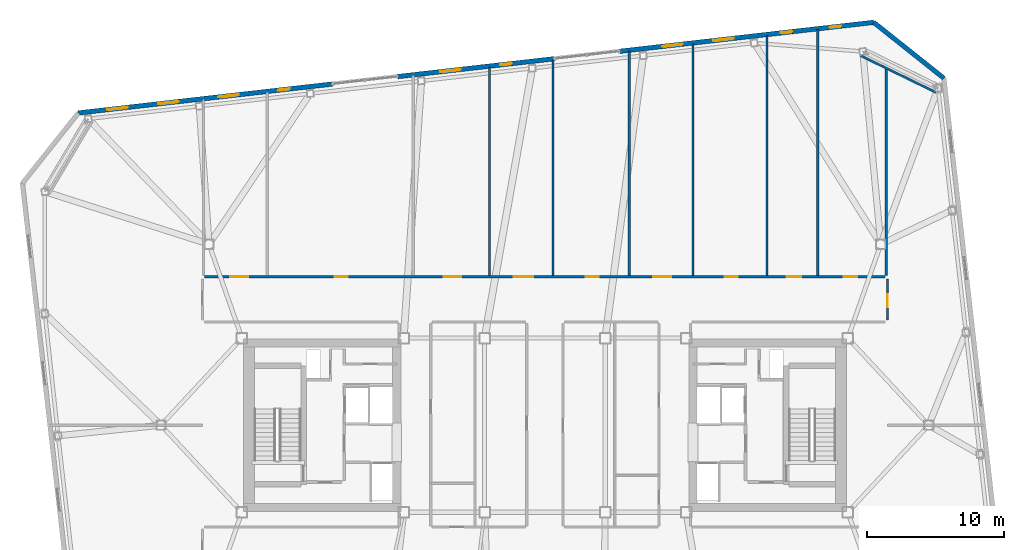
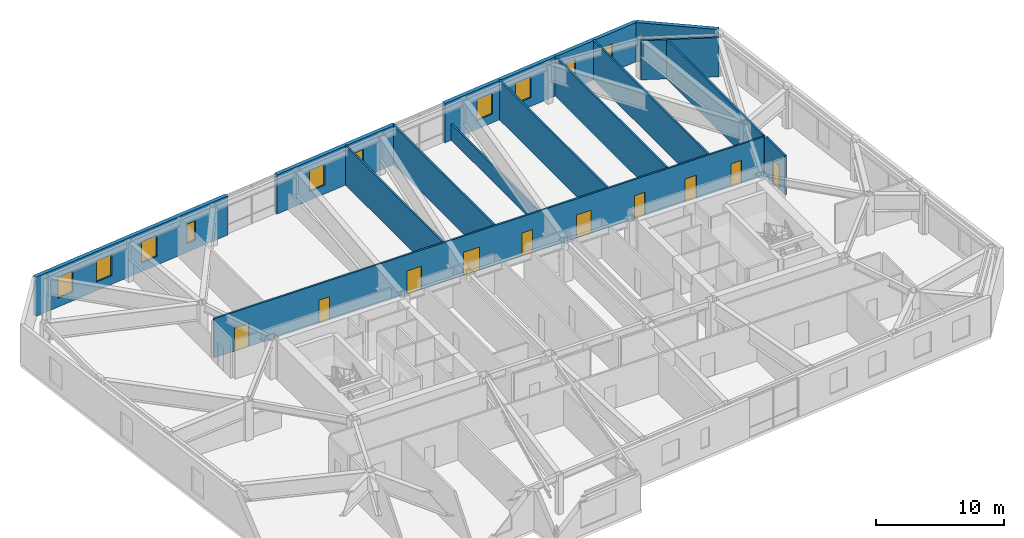
# One storey, part 14 of 18: 14 walls, 10 doors, 10 windows, 20 openings.
"""IFC4 building model written with IfcOpenShell, lengths in metres."""

from ifc_helpers import new_model, si_unit, direction, frame, frame_2d, origin, place, context, subcontext, project, spatial, rectangle, extrude, material, layer, layer_set, type_object, element, fill, save


model = new_model("IFC4")

# Units and contexts
model_context = context("Model", 3, precision=1e-05, world=origin(), true_north=direction((0.0, 1.0)))
body_context = subcontext(model_context, "Body", "Model", "MODEL_VIEW")
ifc_project = project(units=[si_unit("LENGTHUNIT", "METRE"), si_unit("AREAUNIT", "SQUARE_METRE"), si_unit("VOLUMEUNIT", "CUBIC_METRE"), si_unit("PLANEANGLEUNIT", "RADIAN"), si_unit("MASSUNIT", "GRAM", prefix="KILO")], contexts=[model_context])

# Site, building, storey
site_placement = place(None, origin())
site = spatial("IfcSite", under=ifc_project, at=site_placement, CompositionType="ELEMENT")
building_placement = place(site_placement, origin())
building = spatial("IfcBuilding", under=site, at=building_placement, Name="Tavrogorsk Clinical Tower", CompositionType="ELEMENT")
storey_placement = place(building_placement, frame((0.0, 0.0, 226.199951171875)))
storey = spatial("IfcBuildingStorey", under=building, at=storey_placement, Name="L52", CompositionType="ELEMENT", Elevation=226.199951171875)

# Wall
ifc_material_1 = material(Name="Lightweight concrete blockwork B15", Category="masonry")
ifc_layer_1 = layer(ifc_material_1, 0.159912109375)
ifc_layer_set_1 = layer_set([ifc_layer_1], Name="Lightweight concrete blockwork B15")
wall_type_1 = type_object("IfcWallType", Name="PartitionWall_160", PredefinedType="PARTITIONING", material=ifc_layer_set_1)
wall_1_placement = place(storey_placement, frame((28.5283203125, 24.27099609375, 0.0), z_axis=(0.0, 0.0, 1.0), x_axis=(-0.898820692789, 0.438316509173, 0.0)))
element("IfcWall", 1, at=wall_1_placement, inside=storey, type_object=wall_type_1, Name="L52 Corner Exoskeleton Brace Furring Wall 2", PredefinedType="PARTITIONING", context=body_context, shape_type="SweptSolid", body=[
    extrude(rectangle(XDim=6.10693359375, YDim=0.159912109375, at=frame_2d((3.053466796875, 0.0))), origin(), (0.0, 0.0, 1.0), 3.739990234375),
])

# Wall, openings, doors
wall_2_placement = place(storey_placement, frame((-24.81494140625, 10.830078125, 0.0), z_axis=(0.0, 0.0, 1.0), x_axis=(1.0, 0.0, 0.0)))
wall_2 = element("IfcWall", 2, at=wall_2_placement, inside=storey, type_object=wall_type_1, Name="L52 Corridor Partition 07", PredefinedType="PARTITIONING", context=body_context, shape_type="SweptSolid", body=[
    extrude(rectangle(XDim=49.6298828125, YDim=0.159912109375, at=frame_2d((24.81494140625, 0.0))), origin(), (0.0, 0.0, 1.0), 3.739990234375),
])
opening_1_placement = place(wall_2_placement, frame((1.869140625, 0.0, 0.0)))
opening_1 = element("IfcOpeningElement", 3, at=opening_1_placement, cuts=wall_2, Name="Opening ID-01", PredefinedType="OPENING", context=body_context, shape_type="SweptSolid", body=[
    extrude(rectangle(XDim=1.300048828125, YDim=2.199951171875, at=frame_2d((0.64990234375, 1.10009765625))), frame((0.0, 0.08984375, 0.0), z_axis=(0.0, -1.0, 0.0), x_axis=(1.0, 0.0, 0.0)), (0.0, 0.0, 1.0), 0.179931640625),
])
opening_2_placement = place(wall_2_placement, frame((9.5, 0.0, 0.0)))
opening_2 = element("IfcOpeningElement", 4, at=opening_2_placement, cuts=wall_2, Name="Opening ID-02", PredefinedType="OPENING", context=body_context, shape_type="SweptSolid", body=[
    extrude(rectangle(XDim=0.949951171875, YDim=2.199951171875, at=frame_2d((0.47509765625, 1.10009765625))), frame((0.0, 0.08984375, 0.0), z_axis=(0.0, -1.0, 0.0), x_axis=(1.0, 0.0, 0.0)), (0.0, 0.0, 1.0), 0.179931640625),
])
opening_3_placement = place(wall_2_placement, frame((17.425048828125, 0.0, 0.0)))
opening_3 = element("IfcOpeningElement", 5, at=opening_3_placement, cuts=wall_2, Name="Opening ID-01", PredefinedType="OPENING", context=body_context, shape_type="SweptSolid", body=[
    extrude(rectangle(XDim=1.300048828125, YDim=2.199951171875, at=frame_2d((0.64990234375, 1.10009765625))), frame((0.0, 0.08984375, 0.0), z_axis=(0.0, -1.0, 0.0), x_axis=(1.0, 0.0, 0.0)), (0.0, 0.0, 1.0), 0.179931640625),
])
opening_4_placement = place(wall_2_placement, frame((22.52490234375, 0.0, 0.0)))
opening_4 = element("IfcOpeningElement", 6, at=opening_4_placement, cuts=wall_2, Name="Opening ID-05", PredefinedType="OPENING", context=body_context, shape_type="SweptSolid", body=[
    extrude(rectangle(XDim=1.449951171875, YDim=2.199951171875, at=frame_2d((0.72509765625, 1.10009765625))), frame((0.0, 0.08984375, 0.0), z_axis=(0.0, -1.0, 0.0), x_axis=(1.0, 0.0, 0.0)), (0.0, 0.0, 1.0), 0.179931640625),
])
opening_5_placement = place(wall_2_placement, frame((27.800048828125, 0.0, 0.0)))
opening_5 = element("IfcOpeningElement", 7, at=opening_5_placement, cuts=wall_2, Name="Opening ID-02", PredefinedType="OPENING", context=body_context, shape_type="SweptSolid", body=[
    extrude(rectangle(XDim=0.949951171875, YDim=2.199951171875, at=frame_2d((0.47509765625, 1.10009765625))), frame((0.0, 0.08984375, 0.0), z_axis=(0.0, -1.0, 0.0), x_axis=(1.0, 0.0, 0.0)), (0.0, 0.0, 1.0), 0.179931640625),
])
opening_6_placement = place(wall_2_placement, frame((32.72509765625, 0.0, 0.0)))
opening_6 = element("IfcOpeningElement", 8, at=opening_6_placement, cuts=wall_2, Name="Opening ID-01", PredefinedType="OPENING", context=body_context, shape_type="SweptSolid", body=[
    extrude(rectangle(XDim=1.300048828125, YDim=2.199951171875, at=frame_2d((0.64990234375, 1.10009765625))), frame((0.0, 0.08984375, 0.0), z_axis=(0.0, -1.0, 0.0), x_axis=(1.0, 0.0, 0.0)), (0.0, 0.0, 1.0), 0.179931640625),
])
opening_7_placement = place(wall_2_placement, frame((37.919921875, 0.0, 0.0)))
opening_7 = element("IfcOpeningElement", 9, at=opening_7_placement, cuts=wall_2, Name="Opening ID-02", PredefinedType="OPENING", context=body_context, shape_type="SweptSolid", body=[
    extrude(rectangle(XDim=0.949951171875, YDim=2.199951171875, at=frame_2d((0.47509765625, 1.10009765625))), frame((0.0, 0.08984375, 0.0), z_axis=(0.0, -1.0, 0.0), x_axis=(1.0, 0.0, 0.0)), (0.0, 0.0, 1.0), 0.179931640625),
])
opening_8_placement = place(wall_2_placement, frame((42.469970703125, 0.0, 0.0)))
opening_8 = element("IfcOpeningElement", 10, at=opening_8_placement, cuts=wall_2, Name="Opening ID-04", PredefinedType="OPENING", context=body_context, shape_type="SweptSolid", body=[
    extrude(rectangle(XDim=1.050048828125, YDim=2.199951171875, at=frame_2d((0.52490234375, 1.10009765625))), frame((0.0, 0.08984375, 0.0), z_axis=(0.0, -1.0, 0.0), x_axis=(1.0, 0.0, 0.0)), (0.0, 0.0, 1.0), 0.179931640625),
])
opening_9_placement = place(wall_2_placement, frame((46.630859375, 0.0, 0.0)))
opening_9 = element("IfcOpeningElement", 11, at=opening_9_placement, cuts=wall_2, Name="Opening ID-02", PredefinedType="OPENING", context=body_context, shape_type="SweptSolid", body=[
    extrude(rectangle(XDim=0.949951171875, YDim=2.199951171875, at=frame_2d((0.47509765625, 1.10009765625))), frame((0.0, 0.08984375, 0.0), z_axis=(0.0, -1.0, 0.0), x_axis=(1.0, 0.0, 0.0)), (0.0, 0.0, 1.0), 0.179931640625),
])
ifc_material_2 = material(Name="Antibacterial HPL consultation door on aluminium frame", Category="aluminium")
door_type_1 = type_object("IfcDoorType", Name="ConsultDoor_ID04_1050", OperationType="NOTDEFINED", PredefinedType="DOOR", material=ifc_material_2)
door_1_placement = place(opening_8_placement, origin())
door_1 = element("IfcDoor", 12, at=door_1_placement, inside=storey, type_object=door_type_1, Name="L52 North Multidisciplinary Case Room 05B Door", OperationType="SINGLE_SWING_RIGHT", OverallHeight=2.199951171875, OverallWidth=1.050048828125, PredefinedType="DOOR", context=body_context, shape_type="SweptSolid", body=[
    extrude(rectangle(XDim=1.050048828125, YDim=2.199951171875, at=frame_2d((0.52490234375, 1.10009765625))), frame((0.0, 0.02490234375, 0.0), z_axis=(0.0, -1.0, 0.0), x_axis=(1.0, 0.0, 0.0)), (0.0, 0.0, 1.0), 0.050048828125),
])
fill(opening_8, door_1)
ifc_material_3 = material(Name="Antibacterial HPL bariatric ward double door")
door_type_2 = type_object("IfcDoorType", Name="DoubleWardDoor_ID05_1450", OperationType="DOUBLE_SWING_LEFT", PredefinedType="DOOR", material=ifc_material_3)
door_2_placement = place(opening_4_placement, origin())
door_2 = element("IfcDoor", 13, at=door_2_placement, inside=storey, type_object=door_type_2, Name="L52 North Acute Isolation Suite 03B Door", OperationType="DOUBLE_SWING_LEFT", OverallHeight=2.199951171875, OverallWidth=1.449951171875, PredefinedType="DOOR", context=body_context, shape_type="SweptSolid", body=[
    extrude(rectangle(XDim=1.449951171875, YDim=2.199951171875, at=frame_2d((0.72509765625, 1.10009765625))), frame((0.0, 0.02490234375, 0.0), z_axis=(0.0, -1.0, 0.0), x_axis=(1.0, 0.0, 0.0)), (0.0, 0.0, 1.0), 0.050048828125),
])
fill(opening_4, door_2)
ifc_material_4 = material(Name="Laminated timber leaf on aluminium frame", Category="wood")
door_type_3 = type_object("IfcDoorType", Name="InteriorDoor_ID02_950", OperationType="NOTDEFINED", PredefinedType="DOOR", material=ifc_material_4)
door_3_placement = place(opening_2_placement, origin())
door_3 = element("IfcDoor", 14, at=door_3_placement, inside=storey, type_object=door_type_3, Name="L52 North Multidisciplinary Case Room 02 Door", OperationType="SINGLE_SWING_RIGHT", OverallHeight=2.199951171875, OverallWidth=0.949951171875, PredefinedType="DOOR", context=body_context, shape_type="SweptSolid", body=[
    extrude(rectangle(XDim=0.949951171875, YDim=2.199951171875, at=frame_2d((0.47509765625, 1.10009765625))), frame((0.0, 0.02490234375, 0.0), z_axis=(0.0, -1.0, 0.0), x_axis=(1.0, 0.0, 0.0)), (0.0, 0.0, 1.0), 0.050048828125),
])
fill(opening_2, door_3)
door_4_placement = place(opening_5_placement, origin())
door_4 = element("IfcDoor", 15, at=door_4_placement, inside=storey, type_object=door_type_3, Name="L52 North Clinical Examination Suite 04A Door", OperationType="SINGLE_SWING_LEFT", OverallHeight=2.199951171875, OverallWidth=0.949951171875, PredefinedType="DOOR", context=body_context, shape_type="SweptSolid", body=[
    extrude(rectangle(XDim=0.949951171875, YDim=2.199951171875, at=frame_2d((0.47509765625, 1.10009765625))), frame((0.0, 0.02490234375, 0.0), z_axis=(0.0, -1.0, 0.0), x_axis=(1.0, 0.0, 0.0)), (0.0, 0.0, 1.0), 0.050048828125),
])
fill(opening_5, door_4)
door_5_placement = place(opening_7_placement, origin())
door_5 = element("IfcDoor", 16, at=door_5_placement, inside=storey, type_object=door_type_3, Name="L52 North Diagnostic Ultrasound Suite 05A Door", OperationType="SINGLE_SWING_LEFT", OverallHeight=2.199951171875, OverallWidth=0.949951171875, PredefinedType="DOOR", context=body_context, shape_type="SweptSolid", body=[
    extrude(rectangle(XDim=0.949951171875, YDim=2.199951171875, at=frame_2d((0.47509765625, 1.10009765625))), frame((0.0, 0.02490234375, 0.0), z_axis=(0.0, -1.0, 0.0), x_axis=(1.0, 0.0, 0.0)), (0.0, 0.0, 1.0), 0.050048828125),
])
fill(opening_7, door_5)
door_6_placement = place(opening_9_placement, origin())
door_6 = element("IfcDoor", 17, at=door_6_placement, inside=storey, type_object=door_type_3, Name="L52 North Physiotherapy Rehab Studio 06 Door", OperationType="SINGLE_SWING_LEFT", OverallHeight=2.199951171875, OverallWidth=0.949951171875, PredefinedType="DOOR", context=body_context, shape_type="SweptSolid", body=[
    extrude(rectangle(XDim=0.949951171875, YDim=2.199951171875, at=frame_2d((0.47509765625, 1.10009765625))), frame((0.0, 0.02490234375, 0.0), z_axis=(0.0, -1.0, 0.0), x_axis=(1.0, 0.0, 0.0)), (0.0, 0.0, 1.0), 0.050048828125),
])
fill(opening_9, door_6)
ifc_material_5 = material(Name="Antibacterial HPL medical leaf on aluminium frame", Category="aluminium")
door_type_4 = type_object("IfcDoorType", Name="WardBedDoor_ID01_1300", OperationType="NOTDEFINED", PredefinedType="DOOR", material=ifc_material_5)
door_7_placement = place(opening_1_placement, origin())
door_7 = element("IfcDoor", 18, at=door_7_placement, inside=storey, type_object=door_type_4, Name="L52 North Sub-Acute Recovery Ward 01 Door", OperationType="SINGLE_SWING_LEFT", OverallHeight=2.199951171875, OverallWidth=1.300048828125, PredefinedType="DOOR", context=body_context, shape_type="SweptSolid", body=[
    extrude(rectangle(XDim=1.300048828125, YDim=2.199951171875, at=frame_2d((0.64990234375, 1.10009765625))), frame((0.0, 0.02490234375, 0.0), z_axis=(0.0, -1.0, 0.0), x_axis=(1.0, 0.0, 0.0)), (0.0, 0.0, 1.0), 0.050048828125),
])
fill(opening_1, door_7)
door_8_placement = place(opening_3_placement, origin())
door_8 = element("IfcDoor", 19, at=door_8_placement, inside=storey, type_object=door_type_4, Name="L52 North Inpatient Clinical Ward 03A Door", OperationType="SINGLE_SWING_LEFT", OverallHeight=2.199951171875, OverallWidth=1.300048828125, PredefinedType="DOOR", context=body_context, shape_type="SweptSolid", body=[
    extrude(rectangle(XDim=1.300048828125, YDim=2.199951171875, at=frame_2d((0.64990234375, 1.10009765625))), frame((0.0, 0.02490234375, 0.0), z_axis=(0.0, -1.0, 0.0), x_axis=(1.0, 0.0, 0.0)), (0.0, 0.0, 1.0), 0.050048828125),
])
fill(opening_3, door_8)
door_9_placement = place(opening_6_placement, origin())
door_9 = element("IfcDoor", 20, at=door_9_placement, inside=storey, type_object=door_type_4, Name="L52 North Sub-Acute Recovery Ward 04B Door", OperationType="SINGLE_SWING_RIGHT", OverallHeight=2.199951171875, OverallWidth=1.300048828125, PredefinedType="DOOR", context=body_context, shape_type="SweptSolid", body=[
    extrude(rectangle(XDim=1.300048828125, YDim=2.199951171875, at=frame_2d((0.64990234375, 1.10009765625))), frame((0.0, 0.02490234375, 0.0), z_axis=(0.0, -1.0, 0.0), x_axis=(1.0, 0.0, 0.0)), (0.0, 0.0, 1.0), 0.050048828125),
])
fill(opening_6, door_9)

# Wall, opening, door
wall_3_placement = place(storey_placement, frame((24.97998046875, 10.6650390625, 0.0), z_axis=(0.0, 0.0, 1.0), x_axis=(0.0, -1.0, 0.0)))
wall_3 = element("IfcWall", 21, at=wall_3_placement, inside=storey, type_object=wall_type_1, Name="L52 Corridor Partition 08", PredefinedType="PARTITIONING", context=body_context, shape_type="SweptSolid", body=[
    extrude(rectangle(XDim=2.97998046875, YDim=0.159912109375, at=frame_2d((1.489990234375, 0.0))), origin(), (0.0, 0.0, 1.0), 3.739990234375),
])
opening_10_placement = place(wall_3_placement, frame((1.10009765625, 0.0, 0.0)))
opening_10 = element("IfcOpeningElement", 22, at=opening_10_placement, cuts=wall_3, Name="Opening ID-02", PredefinedType="OPENING", context=body_context, shape_type="SweptSolid", body=[
    extrude(rectangle(XDim=0.949951171875, YDim=2.199951171875, at=frame_2d((0.47509765625, 1.10009765625))), frame((0.0, 0.08984375, 0.0), z_axis=(0.0, -1.0, 0.0), x_axis=(1.0, 0.0, 0.0)), (0.0, 0.0, 1.0), 0.179931640625),
])
door_10_placement = place(opening_10_placement, origin())
door_10 = element("IfcDoor", 23, at=door_10_placement, inside=storey, type_object=door_type_3, Name="L52 E Multidisciplinary Seminar Suite 2 Door", OperationType="SINGLE_SWING_RIGHT", OverallHeight=2.199951171875, OverallWidth=0.949951171875, PredefinedType="DOOR", context=body_context, shape_type="SweptSolid", body=[
    extrude(rectangle(XDim=0.949951171875, YDim=2.199951171875, at=frame_2d((0.47509765625, 1.10009765625))), frame((0.0, 0.02490234375, 0.0), z_axis=(0.0, -1.0, 0.0), x_axis=(1.0, 0.0, 0.0)), (0.0, 0.0, 1.0), 0.050048828125),
])
fill(opening_10, door_10)

# Walls
wall_4_placement = place(storey_placement, frame((24.89990234375, 10.9150390625, 0.0), z_axis=(0.0, 0.0, 1.0), x_axis=(0.0, 1.0, 0.0)))
element("IfcWall", 24, at=wall_4_placement, inside=storey, type_object=wall_type_1, Name="L52 NE Wing Closure Partition", PredefinedType="PARTITIONING", context=body_context, shape_type="SweptSolid", body=[
    extrude(rectangle(XDim=15.12939453125, YDim=0.159912109375, at=frame_2d((7.564697265625, 0.0))), origin(), (0.0, 0.0, 1.0), 3.739990234375),
])
wall_5_placement = place(storey_placement, frame((0.60009765625, 10.9150390625, 0.0), z_axis=(0.0, 0.0, 1.0), x_axis=(0.0, 1.0, 0.0)))
element("IfcWall", 25, at=wall_5_placement, inside=storey, type_object=wall_type_1, Name="L52 North Room Partition 3", PredefinedType="PARTITIONING", context=body_context, shape_type="SweptSolid", body=[
    extrude(rectangle(XDim=15.736572265625, YDim=0.159912109375, at=frame_2d((7.8681640625, 0.0))), origin(), (0.0, 0.0, 1.0), 3.739990234375),
])
wall_6_placement = place(storey_placement, frame((10.800048828125, 10.9150390625, 0.0), z_axis=(0.0, 0.0, 1.0), x_axis=(0.0, 1.0, 0.0)))
element("IfcWall", 26, at=wall_6_placement, inside=storey, type_object=wall_type_1, Name="L52 North Room Partition 4", PredefinedType="PARTITIONING", context=body_context, shape_type="SweptSolid", body=[
    extrude(rectangle(XDim=16.898681640625, YDim=0.159912109375, at=frame_2d((8.44921875, 0.0))), origin(), (0.0, 0.0, 1.0), 3.739990234375),
])
wall_7_placement = place(storey_placement, frame((19.89990234375, 10.9150390625, 0.0), z_axis=(0.0, 0.0, 1.0), x_axis=(0.0, 1.0, 0.0)))
element("IfcWall", 27, at=wall_7_placement, inside=storey, type_object=wall_type_1, Name="L52 North Room Partition 5", PredefinedType="PARTITIONING", context=body_context, shape_type="SweptSolid", body=[
    extrude(rectangle(XDim=17.935546875, YDim=0.159912109375, at=frame_2d((8.9677734375, 0.0))), origin(), (0.0, 0.0, 1.0), 3.739990234375),
])
wall_8_placement = place(storey_placement, frame((-4.050048828125, 10.9150390625, 0.0), z_axis=(0.0, 0.0, 1.0), x_axis=(0.0, 1.0, 0.0)))
element("IfcWall", 28, at=wall_8_placement, inside=storey, type_object=wall_type_1, Name="L52 North Sub-Partition 3", PredefinedType="PARTITIONING", context=body_context, shape_type="SweptSolid", body=[
    extrude(rectangle(XDim=15.206787109375, YDim=0.159912109375, at=frame_2d((7.603515625, 0.0))), origin(), (0.0, 0.0, 1.0), 3.739990234375),
])
wall_9_placement = place(storey_placement, frame((6.14990234375, 10.9150390625, 0.0), z_axis=(0.0, 0.0, 1.0), x_axis=(0.0, 1.0, 0.0)))
element("IfcWall", 29, at=wall_9_placement, inside=storey, type_object=wall_type_1, Name="L52 North Sub-Partition 4", PredefinedType="PARTITIONING", context=body_context, shape_type="SweptSolid", body=[
    extrude(rectangle(XDim=16.368896484375, YDim=0.159912109375, at=frame_2d((8.1845703125, 0.0))), origin(), (0.0, 0.0, 1.0), 1.53515625),
])
wall_10_placement = place(storey_placement, frame((16.18994140625, 10.9150390625, 0.0), z_axis=(0.0, 0.0, 1.0), x_axis=(0.0, 1.0, 0.0)))
element("IfcWall", 30, at=wall_10_placement, inside=storey, type_object=wall_type_1, Name="L52 North Sub-Partition 5", PredefinedType="PARTITIONING", context=body_context, shape_type="SweptSolid", body=[
    extrude(rectangle(XDim=17.512939453125, YDim=0.159912109375, at=frame_2d((8.75634765625, 0.0))), origin(), (0.0, 0.0, 1.0), 3.739990234375),
])

# Wall, openings, windows
ifc_material_6 = material(Name="Precast concrete B45 with limestone cladding", Category="masonry")
ifc_layer_2 = layer(ifc_material_6, 0.340087890625)
ifc_layer_set_2 = layer_set([ifc_layer_2], Name="Precast concrete B45 with limestone cladding")
wall_type_2 = type_object("IfcWallType", Name="PrecastLimestoneWall_340", PredefinedType="STANDARD", material=ifc_layer_set_2)
wall_11_placement = place(storey_placement, frame((23.982666015625, 29.38623046875, 0.0), z_axis=(0.0, 0.0, 1.0), x_axis=(-0.993572271362, -0.113199565282, 0.0)))
wall_11 = element("IfcWall", 31, at=wall_11_placement, inside=storey, type_object=wall_type_2, Name="L52 N Limestone Facade Wall 1", PredefinedType="STANDARD", context=body_context, shape_type="SweptSolid", body=[
    extrude(rectangle(XDim=18.6513671875, YDim=0.340087890625, at=frame_2d((9.32568359375, 0.0))), origin(), (0.0, 0.0, 1.0), 3.739990234375),
])
opening_11_placement = place(wall_11_placement, frame((14.027099609375, 0.0, 0.830078125)))
opening_11 = element("IfcOpeningElement", 32, at=opening_11_placement, cuts=wall_11, Name="Opening WN-05", PredefinedType="OPENING", context=body_context, shape_type="SweptSolid", body=[
    extrude(rectangle(XDim=1.5, YDim=2.0, at=frame_2d((0.75, 1.0))), frame((0.0, 0.179931640625, 0.0), z_axis=(0.0, -1.0, 0.0), x_axis=(1.0, 0.0, 0.0)), (0.0, 0.0, 1.0), 0.360107421875),
])
opening_12_placement = place(wall_11_placement, frame((10.27880859375, 0.0, 0.830078125)))
opening_12 = element("IfcOpeningElement", 33, at=opening_12_placement, cuts=wall_11, Name="Opening WN-05", PredefinedType="OPENING", context=body_context, shape_type="SweptSolid", body=[
    extrude(rectangle(XDim=1.5, YDim=2.0, at=frame_2d((0.75, 1.0))), frame((0.0, 0.179931640625, 0.0), z_axis=(0.0, -1.0, 0.0), x_axis=(1.0, 0.0, 0.0)), (0.0, 0.0, 1.0), 0.360107421875),
])
opening_13_placement = place(wall_11_placement, frame((5.97314453125, 0.0, 0.830078125)))
opening_13 = element("IfcOpeningElement", 34, at=opening_13_placement, cuts=wall_11, Name="Opening WN-06", PredefinedType="OPENING", context=body_context, shape_type="SweptSolid", body=[
    extrude(rectangle(XDim=0.85009765625, YDim=1.85009765625, at=frame_2d((0.425048828125, 0.925048828125))), frame((0.0, 0.179931640625, 0.0), z_axis=(0.0, -1.0, 0.0), x_axis=(1.0, 0.0, 0.0)), (0.0, 0.0, 1.0), 0.360107421875),
])
opening_14_placement = place(wall_11_placement, frame((2.385986328125, 0.0, 0.830078125)))
opening_14 = element("IfcOpeningElement", 35, at=opening_14_placement, cuts=wall_11, Name="Opening WN-06", PredefinedType="OPENING", context=body_context, shape_type="SweptSolid", body=[
    extrude(rectangle(XDim=0.85009765625, YDim=1.85009765625, at=frame_2d((0.425048828125, 0.925048828125))), frame((0.0, 0.179931640625, 0.0), z_axis=(0.0, -1.0, 0.0), x_axis=(1.0, 0.0, 0.0)), (0.0, 0.0, 1.0), 0.360107421875),
])
ifc_material_7 = material(Name="Thermally broken aluminium frame and triple IGU", Category="aluminium")
window_type_1 = type_object("IfcWindowType", Name="ConsultWin_1500x2000", PartitioningType="SINGLE_PANEL", PredefinedType="WINDOW", material=ifc_material_7)
window_1_placement = place(opening_11_placement, origin())
window_1 = element("IfcWindow", 36, at=window_1_placement, inside=storey, type_object=window_type_1, Name="L52 N Chicago Window 07", OverallHeight=2.0, OverallWidth=1.5, PartitioningType="SINGLE_PANEL", PredefinedType="WINDOW", context=body_context, shape_type="SweptSolid", body=[
    extrude(rectangle(XDim=1.5, YDim=2.0, at=frame_2d((0.75, 1.0))), frame((0.0, 0.030029296875, 0.0), z_axis=(0.0, -1.0, 0.0), x_axis=(1.0, 0.0, 0.0)), (0.0, 0.0, 1.0), 0.06005859375),
])
fill(opening_11, window_1)
window_2_placement = place(opening_12_placement, origin())
window_2 = element("IfcWindow", 37, at=window_2_placement, inside=storey, type_object=window_type_1, Name="L52 N Chicago Window 08", OverallHeight=2.0, OverallWidth=1.5, PartitioningType="SINGLE_PANEL", PredefinedType="WINDOW", context=body_context, shape_type="SweptSolid", body=[
    extrude(rectangle(XDim=1.5, YDim=2.0, at=frame_2d((0.75, 1.0))), frame((0.0, 0.030029296875, 0.0), z_axis=(0.0, -1.0, 0.0), x_axis=(1.0, 0.0, 0.0)), (0.0, 0.0, 1.0), 0.06005859375),
])
fill(opening_12, window_2)
ifc_material_8 = material(Name="Thermally broken aluminium frame and triple IGU", Category="aluminium")
window_type_2 = type_object("IfcWindowType", Name="MullionSubWin_850x1850", PartitioningType="SINGLE_PANEL", PredefinedType="WINDOW", material=ifc_material_8)
window_3_placement = place(opening_13_placement, origin())
window_3 = element("IfcWindow", 38, at=window_3_placement, inside=storey, type_object=window_type_2, Name="L52 N Mullion Split Window 09A", OverallHeight=1.85009765625, OverallWidth=0.85009765625, PartitioningType="SINGLE_PANEL", PredefinedType="WINDOW", context=body_context, shape_type="SweptSolid", body=[
    extrude(rectangle(XDim=0.85009765625, YDim=1.85009765625, at=frame_2d((0.425048828125, 0.925048828125))), frame((0.0, 0.030029296875, 0.0), z_axis=(0.0, -1.0, 0.0), x_axis=(1.0, 0.0, 0.0)), (0.0, 0.0, 1.0), 0.06005859375),
])
fill(opening_13, window_3)
window_4_placement = place(opening_14_placement, origin())
window_4 = element("IfcWindow", 39, at=window_4_placement, inside=storey, type_object=window_type_2, Name="L52 N Mullion Split Window 10A", OverallHeight=1.85009765625, OverallWidth=0.85009765625, PartitioningType="SINGLE_PANEL", PredefinedType="WINDOW", context=body_context, shape_type="SweptSolid", body=[
    extrude(rectangle(XDim=0.85009765625, YDim=1.85009765625, at=frame_2d((0.425048828125, 0.925048828125))), frame((0.0, 0.030029296875, 0.0), z_axis=(0.0, -1.0, 0.0), x_axis=(1.0, 0.0, 0.0)), (0.0, 0.0, 1.0), 0.06005859375),
])
fill(opening_14, window_4)

wall_12_placement = place(storey_placement, frame((0.681884765625, 26.7314453125, 0.0), z_axis=(0.0, 0.0, 1.0), x_axis=(-0.993571968199, -0.113202226169, 0.0)))
wall_12 = element("IfcWall", 40, at=wall_12_placement, inside=storey, type_object=wall_type_2, Name="L52 N Limestone Facade Wall 2", PredefinedType="STANDARD", context=body_context, shape_type="SweptSolid", body=[
    extrude(rectangle(XDim=11.497314453125, YDim=0.340087890625, at=frame_2d((5.74853515625, 0.0))), origin(), (0.0, 0.0, 1.0), 3.739990234375),
])
opening_15_placement = place(wall_12_placement, frame((6.872802734375, 0.0, 0.830078125)))
opening_15 = element("IfcOpeningElement", 41, at=opening_15_placement, cuts=wall_12, Name="Opening WN-05", PredefinedType="OPENING", context=body_context, shape_type="SweptSolid", body=[
    extrude(rectangle(XDim=1.5, YDim=2.0, at=frame_2d((0.75, 1.0))), frame((0.0, 0.179931640625, 0.0), z_axis=(0.0, -1.0, 0.0), x_axis=(1.0, 0.0, 0.0)), (0.0, 0.0, 1.0), 0.360107421875),
])
opening_16_placement = place(wall_12_placement, frame((3.12451171875, 0.0, 0.830078125)))
opening_16 = element("IfcOpeningElement", 42, at=opening_16_placement, cuts=wall_12, Name="Opening WN-06", PredefinedType="OPENING", context=body_context, shape_type="SweptSolid", body=[
    extrude(rectangle(XDim=0.85009765625, YDim=1.85009765625, at=frame_2d((0.425048828125, 0.925048828125))), frame((0.0, 0.179931640625, 0.0), z_axis=(0.0, -1.0, 0.0), x_axis=(1.0, 0.0, 0.0)), (0.0, 0.0, 1.0), 0.360107421875),
])
window_5_placement = place(opening_15_placement, origin())
window_5 = element("IfcWindow", 43, at=window_5_placement, inside=storey, type_object=window_type_1, Name="L52 N Chicago Window 05", OverallHeight=2.0, OverallWidth=1.5, PartitioningType="SINGLE_PANEL", PredefinedType="WINDOW", context=body_context, shape_type="SweptSolid", body=[
    extrude(rectangle(XDim=1.5, YDim=2.0, at=frame_2d((0.75, 1.0))), frame((0.0, 0.030029296875, 0.0), z_axis=(0.0, -1.0, 0.0), x_axis=(1.0, 0.0, 0.0)), (0.0, 0.0, 1.0), 0.06005859375),
])
fill(opening_15, window_5)
window_6_placement = place(opening_16_placement, origin())
window_6 = element("IfcWindow", 44, at=window_6_placement, inside=storey, type_object=window_type_2, Name="L52 N Mullion Split Window 06A", OverallHeight=1.85009765625, OverallWidth=0.85009765625, PartitioningType="SINGLE_PANEL", PredefinedType="WINDOW", context=body_context, shape_type="SweptSolid", body=[
    extrude(rectangle(XDim=0.85009765625, YDim=1.85009765625, at=frame_2d((0.425048828125, 0.925048828125))), frame((0.0, 0.030029296875, 0.0), z_axis=(0.0, -1.0, 0.0), x_axis=(1.0, 0.0, 0.0)), (0.0, 0.0, 1.0), 0.06005859375),
])
fill(opening_16, window_6)

wall_13_placement = place(storey_placement, frame((-15.510498046875, 24.886474609375, 0.0), z_axis=(0.0, 0.0, 1.0), x_axis=(-0.993572271362, -0.113199565282, 0.0)))
wall_13 = element("IfcWall", 45, at=wall_13_placement, inside=storey, type_object=wall_type_2, Name="L52 N Limestone Facade Wall 3", PredefinedType="STANDARD", context=body_context, shape_type="SweptSolid", body=[
    extrude(rectangle(XDim=18.6513671875, YDim=0.340087890625, at=frame_2d((9.32568359375, 0.0))), origin(), (0.0, 0.0, 1.0), 3.739990234375),
])
opening_17_placement = place(wall_13_placement, frame((15.021240234375, 0.0, 0.830078125)))
opening_17 = element("IfcOpeningElement", 46, at=opening_17_placement, cuts=wall_13, Name="Opening WN-05", PredefinedType="OPENING", context=body_context, shape_type="SweptSolid", body=[
    extrude(rectangle(XDim=1.5, YDim=2.0, at=frame_2d((0.75, 1.0))), frame((0.0, 0.179931640625, 0.0), z_axis=(0.0, -1.0, 0.0), x_axis=(1.0, 0.0, 0.0)), (0.0, 0.0, 1.0), 0.360107421875),
])
opening_18_placement = place(wall_13_placement, frame((11.27294921875, 0.0, 0.830078125)))
opening_18 = element("IfcOpeningElement", 47, at=opening_18_placement, cuts=wall_13, Name="Opening WN-05", PredefinedType="OPENING", context=body_context, shape_type="SweptSolid", body=[
    extrude(rectangle(XDim=1.5, YDim=2.0, at=frame_2d((0.75, 1.0))), frame((0.0, 0.179931640625, 0.0), z_axis=(0.0, -1.0, 0.0), x_axis=(1.0, 0.0, 0.0)), (0.0, 0.0, 1.0), 0.360107421875),
])
opening_19_placement = place(wall_13_placement, frame((6.872802734375, 0.0, 0.830078125)))
opening_19 = element("IfcOpeningElement", 48, at=opening_19_placement, cuts=wall_13, Name="Opening WN-05", PredefinedType="OPENING", context=body_context, shape_type="SweptSolid", body=[
    extrude(rectangle(XDim=1.5, YDim=2.0, at=frame_2d((0.75, 1.0))), frame((0.0, 0.179931640625, 0.0), z_axis=(0.0, -1.0, 0.0), x_axis=(1.0, 0.0, 0.0)), (0.0, 0.0, 1.0), 0.360107421875),
])
opening_20_placement = place(wall_13_placement, frame((3.12451171875, 0.0, 0.830078125)))
opening_20 = element("IfcOpeningElement", 49, at=opening_20_placement, cuts=wall_13, Name="Opening WN-06", PredefinedType="OPENING", context=body_context, shape_type="SweptSolid", body=[
    extrude(rectangle(XDim=0.85009765625, YDim=1.85009765625, at=frame_2d((0.425048828125, 0.925048828125))), frame((0.0, 0.179931640625, 0.0), z_axis=(0.0, -1.0, 0.0), x_axis=(1.0, 0.0, 0.0)), (0.0, 0.0, 1.0), 0.360107421875),
])
window_7_placement = place(opening_17_placement, origin())
window_7 = element("IfcWindow", 50, at=window_7_placement, inside=storey, type_object=window_type_1, Name="L52 N Chicago Window 01", OverallHeight=2.0, OverallWidth=1.5, PartitioningType="SINGLE_PANEL", PredefinedType="WINDOW", context=body_context, shape_type="SweptSolid", body=[
    extrude(rectangle(XDim=1.5, YDim=2.0, at=frame_2d((0.75, 1.0))), frame((0.0, 0.030029296875, 0.0), z_axis=(0.0, -1.0, 0.0), x_axis=(1.0, 0.0, 0.0)), (0.0, 0.0, 1.0), 0.06005859375),
])
fill(opening_17, window_7)
window_8_placement = place(opening_18_placement, origin())
window_8 = element("IfcWindow", 51, at=window_8_placement, inside=storey, type_object=window_type_1, Name="L52 N Chicago Window 02", OverallHeight=2.0, OverallWidth=1.5, PartitioningType="SINGLE_PANEL", PredefinedType="WINDOW", context=body_context, shape_type="SweptSolid", body=[
    extrude(rectangle(XDim=1.5, YDim=2.0, at=frame_2d((0.75, 1.0))), frame((0.0, 0.030029296875, 0.0), z_axis=(0.0, -1.0, 0.0), x_axis=(1.0, 0.0, 0.0)), (0.0, 0.0, 1.0), 0.06005859375),
])
fill(opening_18, window_8)
window_9_placement = place(opening_19_placement, origin())
window_9 = element("IfcWindow", 52, at=window_9_placement, inside=storey, type_object=window_type_1, Name="L52 N Chicago Window 03", OverallHeight=2.0, OverallWidth=1.5, PartitioningType="SINGLE_PANEL", PredefinedType="WINDOW", context=body_context, shape_type="SweptSolid", body=[
    extrude(rectangle(XDim=1.5, YDim=2.0, at=frame_2d((0.75, 1.0))), frame((0.0, 0.030029296875, 0.0), z_axis=(0.0, -1.0, 0.0), x_axis=(1.0, 0.0, 0.0)), (0.0, 0.0, 1.0), 0.06005859375),
])
fill(opening_19, window_9)
window_10_placement = place(opening_20_placement, origin())
window_10 = element("IfcWindow", 53, at=window_10_placement, inside=storey, type_object=window_type_2, Name="L52 N Mullion Split Window 04A", OverallHeight=1.85009765625, OverallWidth=0.85009765625, PartitioningType="SINGLE_PANEL", PredefinedType="WINDOW", context=body_context, shape_type="SweptSolid", body=[
    extrude(rectangle(XDim=0.85009765625, YDim=1.85009765625, at=frame_2d((0.425048828125, 0.925048828125))), frame((0.0, 0.030029296875, 0.0), z_axis=(0.0, -1.0, 0.0), x_axis=(1.0, 0.0, 0.0)), (0.0, 0.0, 1.0), 0.06005859375),
])
fill(opening_20, window_10)

# Wall
wall_14_placement = place(storey_placement, frame((29.10693359375, 25.31005859375, 0.0), z_axis=(0.0, 0.0, 1.0), x_axis=(-0.78259733853, 0.62252823689, 0.0)))
element("IfcWall", 54, at=wall_14_placement, inside=storey, type_object=wall_type_2, Name="L52 Chamfered Corner Wall 2", PredefinedType="STANDARD", context=body_context, shape_type="SweptSolid", body=[
    extrude(rectangle(XDim=6.5478515625, YDim=0.340087890625, at=frame_2d((3.27392578125, 0.0))), origin(), (0.0, 0.0, 1.0), 3.739990234375),
])

save(model, "model.ifc")
